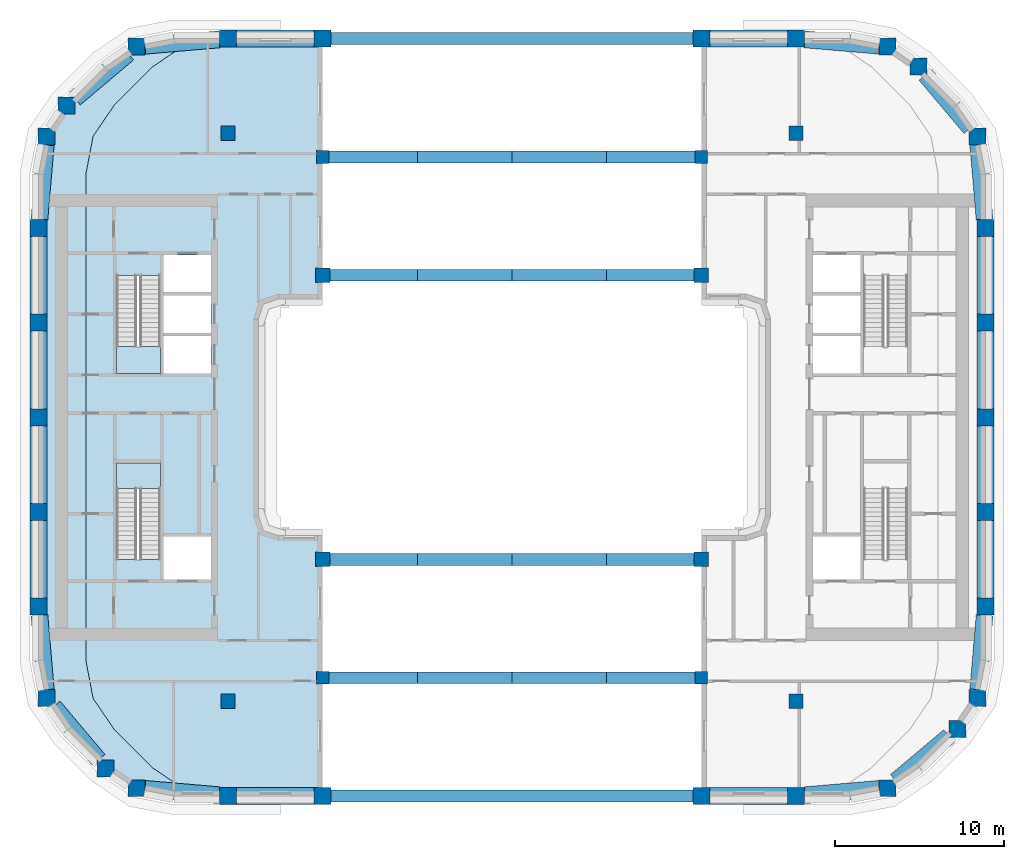
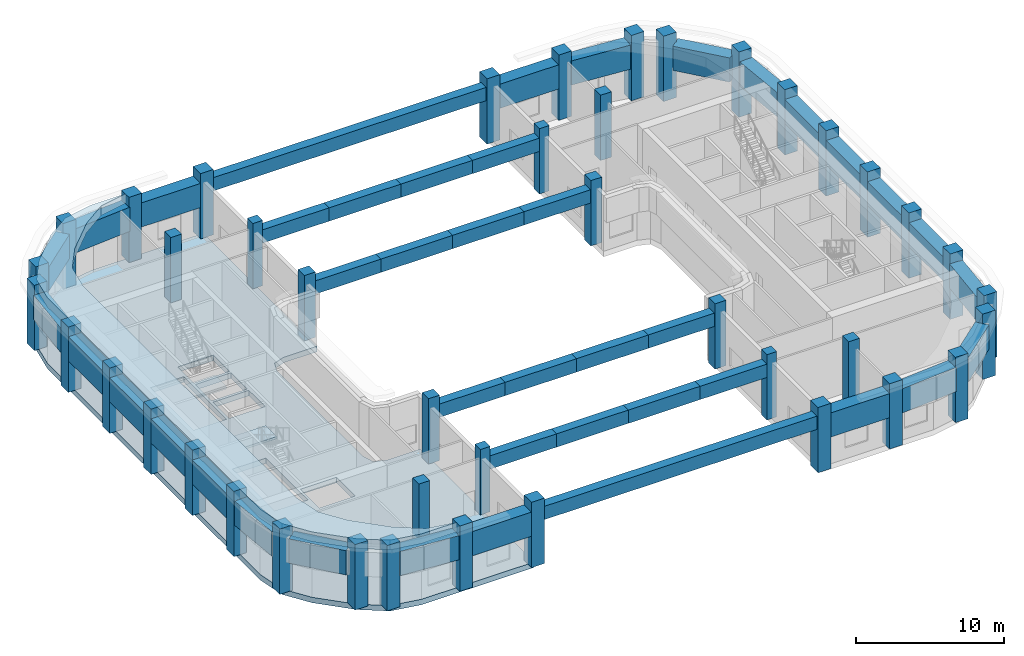
# One storey, part 1 of 14: 42 columns, 24 beams, 18 members, 4 slabs, 2 elements without a shape of their own.
"""IFC4 building model written with IfcOpenShell, lengths in metres."""

from ifc_helpers import new_model, si_unit, direction, frame, origin, origin_2d, place, context, subcontext, project, spatial, polyline, rectangle, hollow_rectangle, outline, extrude, material, layer, layer_set, material_profile, profile_set, type_object, element, aggregate, save


model = new_model("IFC4")

# Units and contexts
model_context = context("Model", 3, precision=1e-05, world=origin(), true_north=direction((0.0, 1.0)))
body_context = subcontext(model_context, "Body", "Model", "MODEL_VIEW")
ifc_project = project(units=[si_unit("LENGTHUNIT", "METRE"), si_unit("AREAUNIT", "SQUARE_METRE"), si_unit("VOLUMEUNIT", "CUBIC_METRE"), si_unit("PLANEANGLEUNIT", "RADIAN"), si_unit("MASSUNIT", "GRAM", prefix="KILO")], contexts=[model_context])

# Site, building, storey
site_placement = place(None, origin())
site = spatial("IfcSite", under=ifc_project, at=site_placement, CompositionType="ELEMENT")
building_placement = place(site_placement, origin())
building = spatial("IfcBuilding", under=site, at=building_placement, Name="Kiln Ring Residences", CompositionType="ELEMENT")
storey_placement = place(building_placement, frame((0.0, 0.0, 183.5)))
storey = spatial("IfcBuildingStorey", under=building, at=storey_placement, Name="L47", CompositionType="ELEMENT", Elevation=183.5)

# Columns
ifc_material_1 = material(Name="Concrete C70/85", Category="concrete")
ifc_material_profile_1 = material_profile(ifc_material_1, rectangle(XDim=0.75, YDim=0.75, at=origin_2d()), Name="RC750x750")
ifc_profile_set_1 = profile_set([ifc_material_profile_1], Name="Concrete C70/85")
column_type_1 = type_object("IfcColumnType", Name="Corridor column RC750x750 C70/85", PredefinedType="COLUMN", material=ifc_profile_set_1)
for number, where, z_axis, x_axis, name in (
    (1, (-11.199951171875, 15.39990234375, 0.0), (0.0, 0.0, 1.0), (1.0, 0.0, 0.0), "Corridor column L47 1"),
    (2, (11.199951171875, 15.39990234375, 0.0), (0.0, 0.0, 1.0), (1.0, 0.0, 0.0), "Corridor column L47 2"),
    (3, (-11.199951171875, -15.39990234375, 0.0), (0.0, 0.0, 1.0), (1.0, 0.0, 0.0), "Corridor column L47 3"),
    (4, (11.199951171875, -15.39990234375, 0.0), (0.0, 0.0, 1.0), (1.0, 0.0, 0.0), "Corridor column L47 4"),
):
    element("IfcColumn", number, at=place(storey_placement, frame(where, z_axis=z_axis, x_axis=x_axis)), inside=storey, type_object=column_type_1, Name=name, PredefinedType="COLUMN", context=body_context, shape_type="SweptSolid", body=[
        extrude(rectangle(XDim=0.75, YDim=0.75, at=origin_2d()), origin(), (0.0, 0.0, 1.0), 5.39990234375),
    ])
ifc_material_2 = material(Name="Concrete C70/85", Category="concrete")
ifc_material_profile_2 = material_profile(ifc_material_2, rectangle(XDim=1.0, YDim=1.0, at=origin_2d()), Name="RC1000x1000")
ifc_profile_set_2 = profile_set([ifc_material_profile_2], Name="Concrete C70/85")
column_type_2 = type_object("IfcColumnType", Name="Perimeter column RC1000x1000 C70/85", PredefinedType="COLUMN", material=ifc_profile_set_2)
for number, where, z_axis, x_axis, name in (
    (5, (-22.208740234375, -21.93798828125, 0.0), (0.0, 0.0, 1.0), (1.0, 0.0, 0.0), "Perimeter column L47 1"),
    (6, (-16.800048828125, -22.39990234375, 0.0), (0.0, 0.0, 1.0), (1.0, 0.0, 0.0), "Perimeter column L47 2"),
    (7, (-11.199951171875, -22.39990234375, 0.0), (0.0, 0.0, 1.0), (1.0, 0.0, 0.0), "Perimeter column L47 3"),
    (8, (11.199951171875, -22.39990234375, 0.0), (0.0, 0.0, 1.0), (1.0, 0.0, 0.0), "Perimeter column L47 4"),
    (9, (16.800048828125, -22.39990234375, 0.0), (0.0, 0.0, 1.0), (1.0, 0.0, 0.0), "Perimeter column L47 5"),
    (10, (22.208740234375, -21.93798828125, 0.0), (0.0, 0.0, 1.0), (1.0, 0.0, 0.0), "Perimeter column L47 6"),
    (11, (26.35986328125, -18.440185546875, 0.0), (0.0, 0.0, 1.0), (1.0, 0.0, 0.0), "Perimeter column L47 7"),
    (12, (27.5380859375, -16.608642578125, 0.0), (0.0, 0.0, 1.0), (1.0, 0.0, 0.0), "Perimeter column L47 8"),
    (13, (28.0, -11.199951171875, 0.0), (0.0, 0.0, 1.0), (1.0, 0.0, 0.0), "Perimeter column L47 9"),
    (14, (28.0, -5.60009765625, 0.0), (0.0, 0.0, 1.0), (1.0, 0.0, 0.0), "Perimeter column L47 10"),
    (15, (28.0, 0.0, 0.0), (0.0, 0.0, 1.0), (1.0, 0.0, 0.0), "Perimeter column L47 11"),
    (16, (28.0, 5.60009765625, 0.0), (0.0, 0.0, 1.0), (1.0, 0.0, 0.0), "Perimeter column L47 12"),
    (17, (28.0, 11.199951171875, 0.0), (0.0, 0.0, 1.0), (1.0, 0.0, 0.0), "Perimeter column L47 13"),
    (18, (27.5380859375, 16.608642578125, 0.0), (0.0, 0.0, 1.0), (1.0, 0.0, 0.0), "Perimeter column L47 14"),
    (19, (24.040283203125, 20.759765625, 0.0), (0.0, 0.0, 1.0), (1.0, 0.0, 0.0), "Perimeter column L47 15"),
    (20, (22.208740234375, 21.93798828125, 0.0), (0.0, 0.0, 1.0), (1.0, 0.0, 0.0), "Perimeter column L47 16"),
    (21, (16.800048828125, 22.39990234375, 0.0), (0.0, 0.0, 1.0), (1.0, 0.0, 0.0), "Perimeter column L47 17"),
    (22, (11.199951171875, 22.39990234375, 0.0), (0.0, 0.0, 1.0), (1.0, 0.0, 0.0), "Perimeter column L47 18"),
    (23, (-11.199951171875, 22.39990234375, 0.0), (0.0, 0.0, 1.0), (1.0, 0.0, 0.0), "Perimeter column L47 19"),
    (24, (-16.800048828125, 22.39990234375, 0.0), (0.0, 0.0, 1.0), (1.0, 0.0, 0.0), "Perimeter column L47 20"),
    (25, (-22.208740234375, 21.93798828125, 0.0), (0.0, 0.0, 1.0), (1.0, 0.0, 0.0), "Perimeter column L47 21"),
    (26, (-26.35986328125, 18.440185546875, 0.0), (0.0, 0.0, 1.0), (1.0, 0.0, 0.0), "Perimeter column L47 22"),
    (27, (-27.5380859375, 16.608642578125, 0.0), (0.0, 0.0, 1.0), (1.0, 0.0, 0.0), "Perimeter column L47 23"),
    (28, (-28.0, 11.199951171875, 0.0), (0.0, 0.0, 1.0), (1.0, 0.0, 0.0), "Perimeter column L47 24"),
    (29, (-28.0, 5.60009765625, 0.0), (0.0, 0.0, 1.0), (1.0, 0.0, 0.0), "Perimeter column L47 25"),
    (30, (-28.0, 0.0, 0.0), (0.0, 0.0, 1.0), (1.0, 0.0, 0.0), "Perimeter column L47 26"),
    (31, (-28.0, -5.60009765625, 0.0), (0.0, 0.0, 1.0), (1.0, 0.0, 0.0), "Perimeter column L47 27"),
    (32, (-28.0, -11.199951171875, 0.0), (0.0, 0.0, 1.0), (1.0, 0.0, 0.0), "Perimeter column L47 28"),
    (33, (-27.5380859375, -16.608642578125, 0.0), (0.0, 0.0, 1.0), (1.0, 0.0, 0.0), "Perimeter column L47 29"),
    (34, (-24.040283203125, -20.759765625, 0.0), (0.0, 0.0, 1.0), (1.0, 0.0, 0.0), "Perimeter column L47 30"),
):
    element("IfcColumn", number, at=place(storey_placement, frame(where, z_axis=z_axis, x_axis=x_axis)), inside=storey, type_object=column_type_2, Name=name, PredefinedType="COLUMN", context=body_context, shape_type="SweptSolid", body=[
        extrude(rectangle(XDim=1.0, YDim=1.0, at=origin_2d()), origin(), (0.0, 0.0, 1.0), 5.39990234375),
    ])
ifc_material_3 = material(Name="Concrete C70/85", Category="concrete")
ifc_material_profile_3 = material_profile(ifc_material_3, rectangle(XDim=0.85009765625, YDim=0.85009765625, at=origin_2d()), Name="RC850x850")
ifc_profile_set_3 = profile_set([ifc_material_profile_3], Name="Concrete C70/85")
column_type_3 = type_object("IfcColumnType", Name="Ring column RC850x850 C70/85", PredefinedType="COLUMN", material=ifc_profile_set_3)
for number, where, z_axis, x_axis, name in (
    (35, (-16.800048828125, -16.800048828125, 0.0), (0.0, 0.0, 1.0), (1.0, 0.0, 0.0), "Ring column L47 1"),
    (36, (-16.800048828125, 16.800048828125, 0.0), (0.0, 0.0, 1.0), (1.0, 0.0, 0.0), "Ring column L47 2"),
    (37, (16.800048828125, -16.800048828125, 0.0), (0.0, 0.0, 1.0), (1.0, 0.0, 0.0), "Ring column L47 3"),
    (38, (16.800048828125, 16.800048828125, 0.0), (0.0, 0.0, 1.0), (1.0, 0.0, 0.0), "Ring column L47 4"),
    (39, (-11.199951171875, -8.39990234375, 0.0), (0.0, 0.0, 1.0), (1.0, 0.0, 0.0), "Ring column L47 5"),
    (40, (-11.199951171875, 8.39990234375, 0.0), (0.0, 0.0, 1.0), (1.0, 0.0, 0.0), "Ring column L47 6"),
    (41, (11.199951171875, -8.39990234375, 0.0), (0.0, 0.0, 1.0), (1.0, 0.0, 0.0), "Ring column L47 7"),
    (42, (11.199951171875, 8.39990234375, 0.0), (0.0, 0.0, 1.0), (1.0, 0.0, 0.0), "Ring column L47 8"),
):
    element("IfcColumn", number, at=place(storey_placement, frame(where, z_axis=z_axis, x_axis=x_axis)), inside=storey, type_object=column_type_3, Name=name, PredefinedType="COLUMN", context=body_context, shape_type="SweptSolid", body=[
        extrude(rectangle(XDim=0.85009765625, YDim=0.85009765625, at=origin_2d()), origin(), (0.0, 0.0, 1.0), 5.39990234375),
    ])

# Members
ifc_material_4 = material(Name="Steel S460", Category="steel")
ifc_material_profile_4 = material_profile(ifc_material_4, hollow_rectangle(XDim=0.699951171875, YDim=1.10009765625, WallThickness=0.06005859375, at=origin_2d()), Name="BOX1100x700x60")
ifc_profile_set_4 = profile_set([ifc_material_profile_4], Name="Steel S460")
member_type = type_object("IfcMemberType", Name="Bridge truss chord BOX1100x700x60 S460", PredefinedType="CHORD", material=ifc_profile_set_4)
member_1_placement = place(storey_placement, frame((-10.699951171875, -22.39990234375, 4.050048828125), z_axis=(1.0, 0.0, 0.0), x_axis=(0.0, 1.0, 0.0)))
element("IfcMember", 43, at=member_1_placement, inside=storey, type_object=member_type, Name="Bridge truss chord L47 1", PredefinedType="CHORD", context=body_context, shape_type="SweptSolid", body=[
    extrude(hollow_rectangle(XDim=0.699951171875, YDim=1.10009765625, WallThickness=0.06005859375, at=origin_2d()), origin(), (0.0, 0.0, 1.0), 21.39990234375),
])
member_2_placement = place(storey_placement, frame((-10.824951171875, -15.39990234375, 4.050048828125), z_axis=(1.0, 0.0, 0.0), x_axis=(0.0, 1.0, 0.0)))
element("IfcMember", 44, at=member_2_placement, inside=storey, type_object=member_type, Name="Bridge truss chord L47 2", PredefinedType="CHORD", context=body_context, shape_type="SweptSolid", body=[
    extrude(hollow_rectangle(XDim=0.699951171875, YDim=1.10009765625, WallThickness=0.06005859375, at=origin_2d()), origin(), (0.0, 0.0, 1.0), 5.224853515625),
])
for number, where, z_axis, x_axis, name in (
    (45, (-5.60009765625, -15.39990234375, 4.050048828125), (1.0, 0.0, 0.0), (0.0, 1.0, 0.0), "Bridge truss chord L47 3"),
    (46, (0.0, -15.39990234375, 4.050048828125), (1.0, 0.0, 0.0), (0.0, 1.0, 0.0), "Bridge truss chord L47 4"),
):
    element("IfcMember", number, at=place(storey_placement, frame(where, z_axis=z_axis, x_axis=x_axis)), inside=storey, type_object=member_type, Name=name, PredefinedType="CHORD", context=body_context, shape_type="SweptSolid", body=[
        extrude(hollow_rectangle(XDim=0.699951171875, YDim=1.10009765625, WallThickness=0.06005859375, at=origin_2d()), origin(), (0.0, 0.0, 1.0), 5.60009765625),
    ])
member_3_placement = place(storey_placement, frame((5.60009765625, -15.39990234375, 4.050048828125), z_axis=(1.0, 0.0, 0.0), x_axis=(0.0, 1.0, 0.0)))
element("IfcMember", 47, at=member_3_placement, inside=storey, type_object=member_type, Name="Bridge truss chord L47 5", PredefinedType="CHORD", context=body_context, shape_type="SweptSolid", body=[
    extrude(hollow_rectangle(XDim=0.699951171875, YDim=1.10009765625, WallThickness=0.06005859375, at=origin_2d()), origin(), (0.0, 0.0, 1.0), 5.224853515625),
])
member_4_placement = place(storey_placement, frame((-10.77490234375, -8.39990234375, 4.050048828125), z_axis=(1.0, 0.0, 0.0), x_axis=(0.0, 1.0, 0.0)))
element("IfcMember", 48, at=member_4_placement, inside=storey, type_object=member_type, Name="Bridge truss chord L47 6", PredefinedType="CHORD", context=body_context, shape_type="SweptSolid", body=[
    extrude(hollow_rectangle(XDim=0.699951171875, YDim=1.10009765625, WallThickness=0.06005859375, at=origin_2d()), origin(), (0.0, 0.0, 1.0), 5.1748046875),
])
for number, where, z_axis, x_axis, name in (
    (49, (-5.60009765625, -8.39990234375, 4.050048828125), (1.0, 0.0, 0.0), (0.0, 1.0, 0.0), "Bridge truss chord L47 7"),
    (50, (0.0, -8.39990234375, 4.050048828125), (1.0, 0.0, 0.0), (0.0, 1.0, 0.0), "Bridge truss chord L47 8"),
):
    element("IfcMember", number, at=place(storey_placement, frame(where, z_axis=z_axis, x_axis=x_axis)), inside=storey, type_object=member_type, Name=name, PredefinedType="CHORD", context=body_context, shape_type="SweptSolid", body=[
        extrude(hollow_rectangle(XDim=0.699951171875, YDim=1.10009765625, WallThickness=0.06005859375, at=origin_2d()), origin(), (0.0, 0.0, 1.0), 5.60009765625),
    ])
member_5_placement = place(storey_placement, frame((5.60009765625, -8.39990234375, 4.050048828125), z_axis=(1.0, 0.0, 0.0), x_axis=(0.0, 1.0, 0.0)))
element("IfcMember", 51, at=member_5_placement, inside=storey, type_object=member_type, Name="Bridge truss chord L47 9", PredefinedType="CHORD", context=body_context, shape_type="SweptSolid", body=[
    extrude(hollow_rectangle(XDim=0.699951171875, YDim=1.10009765625, WallThickness=0.06005859375, at=origin_2d()), origin(), (0.0, 0.0, 1.0), 5.1748046875),
])
member_6_placement = place(storey_placement, frame((-10.699951171875, 22.39990234375, 4.050048828125), z_axis=(1.0, 0.0, 0.0), x_axis=(0.0, 1.0, 0.0)))
element("IfcMember", 52, at=member_6_placement, inside=storey, type_object=member_type, Name="Bridge truss chord L47 10", PredefinedType="CHORD", context=body_context, shape_type="SweptSolid", body=[
    extrude(hollow_rectangle(XDim=0.699951171875, YDim=1.10009765625, WallThickness=0.06005859375, at=origin_2d()), origin(), (0.0, 0.0, 1.0), 21.39990234375),
])
member_7_placement = place(storey_placement, frame((-10.824951171875, 15.39990234375, 4.050048828125), z_axis=(1.0, 0.0, 0.0), x_axis=(0.0, 1.0, 0.0)))
element("IfcMember", 53, at=member_7_placement, inside=storey, type_object=member_type, Name="Bridge truss chord L47 11", PredefinedType="CHORD", context=body_context, shape_type="SweptSolid", body=[
    extrude(hollow_rectangle(XDim=0.699951171875, YDim=1.10009765625, WallThickness=0.06005859375, at=origin_2d()), origin(), (0.0, 0.0, 1.0), 5.224853515625),
])
for number, where, z_axis, x_axis, name in (
    (54, (-5.60009765625, 15.39990234375, 4.050048828125), (1.0, 0.0, 0.0), (0.0, 1.0, 0.0), "Bridge truss chord L47 12"),
    (55, (0.0, 15.39990234375, 4.050048828125), (1.0, 0.0, 0.0), (0.0, 1.0, 0.0), "Bridge truss chord L47 13"),
):
    element("IfcMember", number, at=place(storey_placement, frame(where, z_axis=z_axis, x_axis=x_axis)), inside=storey, type_object=member_type, Name=name, PredefinedType="CHORD", context=body_context, shape_type="SweptSolid", body=[
        extrude(hollow_rectangle(XDim=0.699951171875, YDim=1.10009765625, WallThickness=0.06005859375, at=origin_2d()), origin(), (0.0, 0.0, 1.0), 5.60009765625),
    ])
member_8_placement = place(storey_placement, frame((5.60009765625, 15.39990234375, 4.050048828125), z_axis=(1.0, 0.0, 0.0), x_axis=(0.0, 1.0, 0.0)))
element("IfcMember", 56, at=member_8_placement, inside=storey, type_object=member_type, Name="Bridge truss chord L47 14", PredefinedType="CHORD", context=body_context, shape_type="SweptSolid", body=[
    extrude(hollow_rectangle(XDim=0.699951171875, YDim=1.10009765625, WallThickness=0.06005859375, at=origin_2d()), origin(), (0.0, 0.0, 1.0), 5.224853515625),
])
member_9_placement = place(storey_placement, frame((-10.77490234375, 8.39990234375, 4.050048828125), z_axis=(1.0, 0.0, 0.0), x_axis=(0.0, 1.0, 0.0)))
element("IfcMember", 57, at=member_9_placement, inside=storey, type_object=member_type, Name="Bridge truss chord L47 15", PredefinedType="CHORD", context=body_context, shape_type="SweptSolid", body=[
    extrude(hollow_rectangle(XDim=0.699951171875, YDim=1.10009765625, WallThickness=0.06005859375, at=origin_2d()), origin(), (0.0, 0.0, 1.0), 5.1748046875),
])
for number, where, z_axis, x_axis, name in (
    (58, (-5.60009765625, 8.39990234375, 4.050048828125), (1.0, 0.0, 0.0), (0.0, 1.0, 0.0), "Bridge truss chord L47 16"),
    (59, (0.0, 8.39990234375, 4.050048828125), (1.0, 0.0, 0.0), (0.0, 1.0, 0.0), "Bridge truss chord L47 17"),
):
    element("IfcMember", number, at=place(storey_placement, frame(where, z_axis=z_axis, x_axis=x_axis)), inside=storey, type_object=member_type, Name=name, PredefinedType="CHORD", context=body_context, shape_type="SweptSolid", body=[
        extrude(hollow_rectangle(XDim=0.699951171875, YDim=1.10009765625, WallThickness=0.06005859375, at=origin_2d()), origin(), (0.0, 0.0, 1.0), 5.60009765625),
    ])
member_10_placement = place(storey_placement, frame((5.60009765625, 8.39990234375, 4.050048828125), z_axis=(1.0, 0.0, 0.0), x_axis=(0.0, 1.0, 0.0)))
element("IfcMember", 60, at=member_10_placement, inside=storey, type_object=member_type, Name="Bridge truss chord L47 18", PredefinedType="CHORD", context=body_context, shape_type="SweptSolid", body=[
    extrude(hollow_rectangle(XDim=0.699951171875, YDim=1.10009765625, WallThickness=0.06005859375, at=origin_2d()), origin(), (0.0, 0.0, 1.0), 5.1748046875),
])

# Beams
ifc_material_5 = material(Name="Concrete C70/85", Category="concrete")
ifc_material_profile_5 = material_profile(ifc_material_5, rectangle(XDim=1.0, YDim=2.0, at=origin_2d()), Name="RC1000x2000")
ifc_profile_set_5 = profile_set([ifc_material_profile_5], Name="Concrete C70/85")
beam_type = type_object("IfcBeamType", Name="Transfer girder RC1000x2000 C70/85", PredefinedType="BEAM", material=ifc_profile_set_5)
beam_1_placement = place(storey_placement, frame((-21.708740234375, -21.980712890625, 3.60009765625), z_axis=(0.996369283519, -0.0851366599, 0.0), x_axis=(0.0851366599, 0.996369283519, 0.0)))
element("IfcBeam", 61, at=beam_1_placement, inside=storey, type_object=beam_type, Name="Transfer girder L47 1", PredefinedType="BEAM", context=body_context, shape_type="SweptSolid", body=[
    extrude(rectangle(XDim=1.0, YDim=2.0, at=origin_2d()), origin(), (0.0, 0.0, 1.0), 4.4248046875),
])
for number, where, z_axis, x_axis, name in (
    (62, (-16.300048828125, -22.39990234375, 3.60009765625), (1.0, 0.0, 0.0), (0.0, 1.0, 0.0), "Transfer girder L47 2"),
    (63, (11.699951171875, -22.39990234375, 3.60009765625), (1.0, 0.0, 0.0), (0.0, 1.0, 0.0), "Transfer girder L47 3"),
):
    element("IfcBeam", number, at=place(storey_placement, frame(where, z_axis=z_axis, x_axis=x_axis)), inside=storey, type_object=beam_type, Name=name, PredefinedType="BEAM", context=body_context, shape_type="SweptSolid", body=[
        extrude(rectangle(XDim=1.0, YDim=2.0, at=origin_2d()), origin(), (0.0, 0.0, 1.0), 4.60009765625),
    ])
beam_2_placement = place(storey_placement, frame((17.300048828125, -22.357421875, 3.60009765625), z_axis=(0.996369283519, 0.0851366599, 0.0), x_axis=(-0.0851366599, 0.996369283519, 0.0)))
element("IfcBeam", 64, at=beam_2_placement, inside=storey, type_object=beam_type, Name="Transfer girder L47 4", PredefinedType="BEAM", context=body_context, shape_type="SweptSolid", body=[
    extrude(rectangle(XDim=1.0, YDim=2.0, at=origin_2d()), origin(), (0.0, 0.0, 1.0), 4.4248046875),
])
beam_3_placement = place(storey_placement, frame((22.708740234375, -21.516845703125, 3.60009765625), z_axis=(0.764708354916, 0.644376545136, 0.0), x_axis=(-0.644376545136, 0.764708354916, 0.0)))
element("IfcBeam", 65, at=beam_3_placement, inside=storey, type_object=beam_type, Name="Transfer girder L47 5", PredefinedType="BEAM", context=body_context, shape_type="SweptSolid", body=[
    extrude(rectangle(XDim=1.0, YDim=2.0, at=origin_2d()), origin(), (0.0, 0.0, 1.0), 4.12060546875),
])
beam_4_placement = place(storey_placement, frame((27.580810546875, -16.108642578125, 3.60009765625), z_axis=(0.085081883384, 0.996373962486, 0.0), x_axis=(-0.996373962486, 0.085081883384, 0.0)))
element("IfcBeam", 66, at=beam_4_placement, inside=storey, type_object=beam_type, Name="Transfer girder L47 6", PredefinedType="BEAM", context=body_context, shape_type="SweptSolid", body=[
    extrude(rectangle(XDim=1.0, YDim=2.0, at=origin_2d()), origin(), (0.0, 0.0, 1.0), 4.4248046875),
])
beam_5_placement = place(storey_placement, frame((28.0, -10.699951171875, 3.60009765625), z_axis=(0.0, 1.0, 0.0), x_axis=(-1.0, 0.0, 0.0)))
element("IfcBeam", 67, at=beam_5_placement, inside=storey, type_object=beam_type, Name="Transfer girder L47 7", PredefinedType="BEAM", context=body_context, shape_type="SweptSolid", body=[
    extrude(rectangle(XDim=1.0, YDim=2.0, at=origin_2d()), origin(), (0.0, 0.0, 1.0), 4.599853515625),
])
for number, where, z_axis, x_axis, name in (
    (68, (28.0, -5.10009765625, 3.60009765625), (0.0, 1.0, 0.0), (-1.0, 0.0, 0.0), "Transfer girder L47 8"),
    (69, (28.0, 0.5, 3.60009765625), (0.0, 1.0, 0.0), (-1.0, 0.0, 0.0), "Transfer girder L47 9"),
):
    element("IfcBeam", number, at=place(storey_placement, frame(where, z_axis=z_axis, x_axis=x_axis)), inside=storey, type_object=beam_type, Name=name, PredefinedType="BEAM", context=body_context, shape_type="SweptSolid", body=[
        extrude(rectangle(XDim=1.0, YDim=2.0, at=origin_2d()), origin(), (0.0, 0.0, 1.0), 4.60009765625),
    ])
beam_6_placement = place(storey_placement, frame((28.0, 6.10009765625, 3.60009765625), z_axis=(0.0, 1.0, 0.0), x_axis=(-1.0, 0.0, 0.0)))
element("IfcBeam", 70, at=beam_6_placement, inside=storey, type_object=beam_type, Name="Transfer girder L47 10", PredefinedType="BEAM", context=body_context, shape_type="SweptSolid", body=[
    extrude(rectangle(XDim=1.0, YDim=2.0, at=origin_2d()), origin(), (0.0, 0.0, 1.0), 4.599853515625),
])
beam_7_placement = place(storey_placement, frame((27.957275390625, 11.699951171875, 3.60009765625), z_axis=(-0.085081883384, 0.996373962486, 0.0), x_axis=(-0.996373962486, -0.085081883384, 0.0)))
element("IfcBeam", 71, at=beam_7_placement, inside=storey, type_object=beam_type, Name="Transfer girder L47 11", PredefinedType="BEAM", context=body_context, shape_type="SweptSolid", body=[
    extrude(rectangle(XDim=1.0, YDim=2.0, at=origin_2d()), origin(), (0.0, 0.0, 1.0), 4.4248046875),
])
beam_8_placement = place(storey_placement, frame((27.11669921875, 17.108642578125, 3.60009765625), z_axis=(-0.644376545136, 0.764708354916, 0.0), x_axis=(-0.764708354916, -0.644376545136, 0.0)))
element("IfcBeam", 72, at=beam_8_placement, inside=storey, type_object=beam_type, Name="Transfer girder L47 12", PredefinedType="BEAM", context=body_context, shape_type="SweptSolid", body=[
    extrude(rectangle(XDim=1.0, YDim=2.0, at=origin_2d()), origin(), (0.0, 0.0, 1.0), 4.12060546875),
])
beam_9_placement = place(storey_placement, frame((21.708740234375, 21.980712890625, 3.60009765625), z_axis=(-0.996369283519, 0.0851366599, 0.0), x_axis=(-0.0851366599, -0.996369283519, 0.0)))
element("IfcBeam", 73, at=beam_9_placement, inside=storey, type_object=beam_type, Name="Transfer girder L47 13", PredefinedType="BEAM", context=body_context, shape_type="SweptSolid", body=[
    extrude(rectangle(XDim=1.0, YDim=2.0, at=origin_2d()), origin(), (0.0, 0.0, 1.0), 4.4248046875),
])
for number, where, z_axis, x_axis, name in (
    (74, (16.300048828125, 22.39990234375, 3.60009765625), (-1.0, 0.0, 0.0), (0.0, -1.0, 0.0), "Transfer girder L47 14"),
    (75, (-11.699951171875, 22.39990234375, 3.60009765625), (-1.0, 0.0, 0.0), (0.0, -1.0, 0.0), "Transfer girder L47 15"),
):
    element("IfcBeam", number, at=place(storey_placement, frame(where, z_axis=z_axis, x_axis=x_axis)), inside=storey, type_object=beam_type, Name=name, PredefinedType="BEAM", context=body_context, shape_type="SweptSolid", body=[
        extrude(rectangle(XDim=1.0, YDim=2.0, at=origin_2d()), origin(), (0.0, 0.0, 1.0), 4.60009765625),
    ])
beam_10_placement = place(storey_placement, frame((-17.300048828125, 22.357421875, 3.60009765625), z_axis=(-0.996369283519, -0.0851366599, 0.0), x_axis=(0.0851366599, -0.996369283519, 0.0)))
element("IfcBeam", 76, at=beam_10_placement, inside=storey, type_object=beam_type, Name="Transfer girder L47 16", PredefinedType="BEAM", context=body_context, shape_type="SweptSolid", body=[
    extrude(rectangle(XDim=1.0, YDim=2.0, at=origin_2d()), origin(), (0.0, 0.0, 1.0), 4.4248046875),
])
beam_11_placement = place(storey_placement, frame((-22.708740234375, 21.516845703125, 3.60009765625), z_axis=(-0.764708354916, -0.644376545136, 0.0), x_axis=(0.644376545136, -0.764708354916, 0.0)))
element("IfcBeam", 77, at=beam_11_placement, inside=storey, type_object=beam_type, Name="Transfer girder L47 17", PredefinedType="BEAM", context=body_context, shape_type="SweptSolid", body=[
    extrude(rectangle(XDim=1.0, YDim=2.0, at=origin_2d()), origin(), (0.0, 0.0, 1.0), 4.12060546875),
])
beam_12_placement = place(storey_placement, frame((-27.580810546875, 16.108642578125, 3.60009765625), z_axis=(-0.085081883384, -0.996373962486, 0.0), x_axis=(0.996373962486, -0.085081883384, 0.0)))
element("IfcBeam", 78, at=beam_12_placement, inside=storey, type_object=beam_type, Name="Transfer girder L47 18", PredefinedType="BEAM", context=body_context, shape_type="SweptSolid", body=[
    extrude(rectangle(XDim=1.0, YDim=2.0, at=origin_2d()), origin(), (0.0, 0.0, 1.0), 4.4248046875),
])
beam_13_placement = place(storey_placement, frame((-28.0, 10.699951171875, 3.60009765625), z_axis=(0.0, -1.0, 0.0), x_axis=(1.0, 0.0, 0.0)))
element("IfcBeam", 79, at=beam_13_placement, inside=storey, type_object=beam_type, Name="Transfer girder L47 19", PredefinedType="BEAM", context=body_context, shape_type="SweptSolid", body=[
    extrude(rectangle(XDim=1.0, YDim=2.0, at=origin_2d()), origin(), (0.0, 0.0, 1.0), 4.599853515625),
])
for number, where, z_axis, x_axis, name in (
    (80, (-28.0, 5.10009765625, 3.60009765625), (0.0, -1.0, 0.0), (1.0, 0.0, 0.0), "Transfer girder L47 20"),
    (81, (-28.0, -0.5, 3.60009765625), (0.0, -1.0, 0.0), (1.0, 0.0, 0.0), "Transfer girder L47 21"),
):
    element("IfcBeam", number, at=place(storey_placement, frame(where, z_axis=z_axis, x_axis=x_axis)), inside=storey, type_object=beam_type, Name=name, PredefinedType="BEAM", context=body_context, shape_type="SweptSolid", body=[
        extrude(rectangle(XDim=1.0, YDim=2.0, at=origin_2d()), origin(), (0.0, 0.0, 1.0), 4.60009765625),
    ])
beam_14_placement = place(storey_placement, frame((-28.0, -6.10009765625, 3.60009765625), z_axis=(0.0, -1.0, 0.0), x_axis=(1.0, 0.0, 0.0)))
element("IfcBeam", 82, at=beam_14_placement, inside=storey, type_object=beam_type, Name="Transfer girder L47 22", PredefinedType="BEAM", context=body_context, shape_type="SweptSolid", body=[
    extrude(rectangle(XDim=1.0, YDim=2.0, at=origin_2d()), origin(), (0.0, 0.0, 1.0), 4.599853515625),
])
beam_15_placement = place(storey_placement, frame((-27.957275390625, -11.699951171875, 3.60009765625), z_axis=(0.085081883384, -0.996373962486, 0.0), x_axis=(0.996373962486, 0.085081883384, 0.0)))
element("IfcBeam", 83, at=beam_15_placement, inside=storey, type_object=beam_type, Name="Transfer girder L47 23", PredefinedType="BEAM", context=body_context, shape_type="SweptSolid", body=[
    extrude(rectangle(XDim=1.0, YDim=2.0, at=origin_2d()), origin(), (0.0, 0.0, 1.0), 4.4248046875),
])
beam_16_placement = place(storey_placement, frame((-27.11669921875, -17.108642578125, 3.60009765625), z_axis=(0.644376545136, -0.764708354916, 0.0), x_axis=(0.764708354916, 0.644376545136, 0.0)))
element("IfcBeam", 84, at=beam_16_placement, inside=storey, type_object=beam_type, Name="Transfer girder L47 24", PredefinedType="BEAM", context=body_context, shape_type="SweptSolid", body=[
    extrude(rectangle(XDim=1.0, YDim=2.0, at=origin_2d()), origin(), (0.0, 0.0, 1.0), 4.12060546875),
])

# Stair, slab
ifc_material_6 = material(Name="Concrete C40/50", Category="concrete")
stair_type = type_object("IfcStairType", Name="CORE-STAIR", PredefinedType="HALF_TURN_STAIR", material=ifc_material_6)
placement_1 = place(storey_placement, origin())
stair_1 = element("IfcStair", 85, at=placement_1, inside=storey, type_object=stair_type, Name="L47 stair W-STN", PredefinedType="HALF_TURN_STAIR")
ifc_material_7 = material(Name="Concrete C40/50", Category="concrete")
ifc_layer_1 = layer(ifc_material_7, 0.199951171875)
ifc_layer_set_1 = layer_set([ifc_layer_1], Name="CORE-STAIR-LANDING")
slab_type_1 = type_object("IfcSlabType", Name="CORE-STAIR-LANDING", PredefinedType="LANDING", material=ifc_layer_set_1)
placement_2 = place(storey_placement, frame((0.0, 0.0, 2.5)))
slab_1 = element("IfcSlab", 86, at=placement_2, type_object=slab_type_1, Name="W-STN landing 1", PredefinedType="LANDING", context=body_context, shape_type="SweptSolid", body=[
    extrude(outline(polyline([(-23.39990234375, 4.199951171875), (-23.39990234375, 2.60009765625), (-20.800048828125, 2.60009765625), (-20.800048828125, 4.199951171875), (-23.39990234375, 4.199951171875)])), origin(), (0.0, 0.0, 1.0), 0.199951171875),
])
aggregate(stair_1, [slab_1])

stair_2 = element("IfcStair", 87, at=placement_1, inside=storey, type_object=stair_type, Name="L47 stair W-STS", PredefinedType="HALF_TURN_STAIR")
slab_2 = element("IfcSlab", 88, at=placement_2, type_object=slab_type_1, Name="W-STS landing 1", PredefinedType="LANDING", context=body_context, shape_type="SweptSolid", body=[
    extrude(outline(polyline([(-20.800048828125, -4.199951171875), (-20.800048828125, -2.699951171875), (-23.39990234375, -2.699951171875), (-23.39990234375, -4.199951171875), (-20.800048828125, -4.199951171875)])), origin(), (0.0, 0.0, 1.0), 0.199951171875),
])
aggregate(stair_2, [slab_2])

# Slabs
ifc_material_8 = material(Name="Concrete C40/50", Category="concrete")
ifc_layer_2 = layer(ifc_material_8, 0.449951171875)
ifc_layer_set_2 = layer_set([ifc_layer_2], Name="Floor slab 450")
slab_type_2 = type_object("IfcSlabType", Name="Floor slab 450", PredefinedType="FLOOR", material=ifc_layer_set_2)
slab_3_placement = place(storey_placement, frame((0.0, 0.0, -0.449951171875)))
element("IfcSlab", 89, at=slab_3_placement, inside=storey, type_object=slab_type_2, Name="Floor slab L47 1", PredefinedType="FLOOR", context=body_context, shape_type="SweptSolid", body=[
    extrude(outline(polyline([(-28.0, -14.39990234375), (-27.57568359375, -16.624267578125), (-26.302978515625, -18.4970703125), (-24.09716796875, -20.702880859375), (-22.224365234375, -21.975830078125), (-20.0, -22.39990234375), (-11.199951171875, -22.39990234375), (-11.199951171875, -7.0), (-13.800048828125, -7.0), (-14.699951171875, -6.699951171875), (-15.0, -5.800048828125), (-15.0, 5.800048828125), (-14.699951171875, 6.699951171875), (-13.800048828125, 7.0), (-11.199951171875, 7.0), (-11.199951171875, 22.39990234375), (-20.0, 22.39990234375), (-22.224365234375, 21.975830078125), (-24.09716796875, 20.702880859375), (-26.302978515625, 18.4970703125), (-27.57568359375, 16.624267578125), (-28.0, 14.39990234375), (-28.0, -14.39990234375)]), holes=[polyline([(-17.800048828125, -7.050048828125), (-17.800048828125, -9.60009765625), (-20.60009765625, -9.60009765625), (-20.60009765625, -7.050048828125), (-17.800048828125, -7.050048828125)]), polyline([(-17.800048828125, 2.60009765625), (-20.60009765625, 2.60009765625), (-20.60009765625, 4.800048828125), (-17.800048828125, 4.800048828125), (-17.800048828125, 2.60009765625)]), polyline([(-17.800048828125, 5.0), (-20.60009765625, 5.0), (-20.60009765625, 7.199951171875), (-17.800048828125, 7.199951171875), (-17.800048828125, 5.0)]), polyline([(-17.800048828125, 7.39990234375), (-20.60009765625, 7.39990234375), (-20.60009765625, 9.60009765625), (-17.800048828125, 9.60009765625), (-17.800048828125, 7.39990234375)]), polyline([(-20.800048828125, -8.39794921875), (-23.39990234375, -8.39794921875), (-23.39990234375, -2.699951171875), (-20.800048828125, -2.699951171875), (-20.800048828125, -8.39794921875)]), polyline([(-20.800048828125, 8.39794921875), (-20.800048828125, 2.60009765625), (-23.39990234375, 2.60009765625), (-23.39990234375, 8.39794921875), (-20.800048828125, 8.39794921875)])]), origin(), (0.0, 0.0, 1.0), 0.449951171875),
])
ifc_material_9 = material(Name="Concrete C40/50", Category="concrete")
ifc_layer_3 = layer(ifc_material_9, 0.800048828125)
ifc_layer_set_3 = layer_set([ifc_layer_3], Name="Roof slab 800")
slab_type_3 = type_object("IfcSlabType", Name="Roof slab 800", PredefinedType="ROOF", material=ifc_layer_set_3)
slab_4_placement = place(storey_placement, frame((0.0, 0.0, 4.60009765625)))
element("IfcSlab", 90, at=slab_4_placement, inside=storey, type_object=slab_type_3, Name="Roof slab L47 1", PredefinedType="ROOF", context=body_context, shape_type="SweptSolid", body=[
    extrude(outline(polyline([(-17.20263671875, -22.39990234375), (-19.424560546875, -21.97607421875), (-21.29736328125, -20.703369140625), (-23.50341796875, -18.497314453125), (-24.776123046875, -16.62451171875), (-25.200439453125, -14.400146484375), (-25.200439453125, 14.400146484375), (-24.776123046875, 16.62451171875), (-23.50341796875, 18.497314453125), (-21.29736328125, 20.703369140625), (-19.424560546875, 21.97607421875), (-17.20263671875, 22.39990234375), (-20.0, 22.39990234375), (-22.224365234375, 21.975830078125), (-24.09716796875, 20.702880859375), (-26.302978515625, 18.4970703125), (-27.57568359375, 16.624267578125), (-28.0, 14.39990234375), (-28.0, -14.39990234375), (-27.57568359375, -16.624267578125), (-26.302978515625, -18.4970703125), (-24.09716796875, -20.702880859375), (-22.224365234375, -21.975830078125), (-20.0, -22.39990234375), (-17.20263671875, -22.39990234375)])), origin(), (0.0, 0.0, 1.0), 0.7998046875),
])

save(model, "model.ifc")
